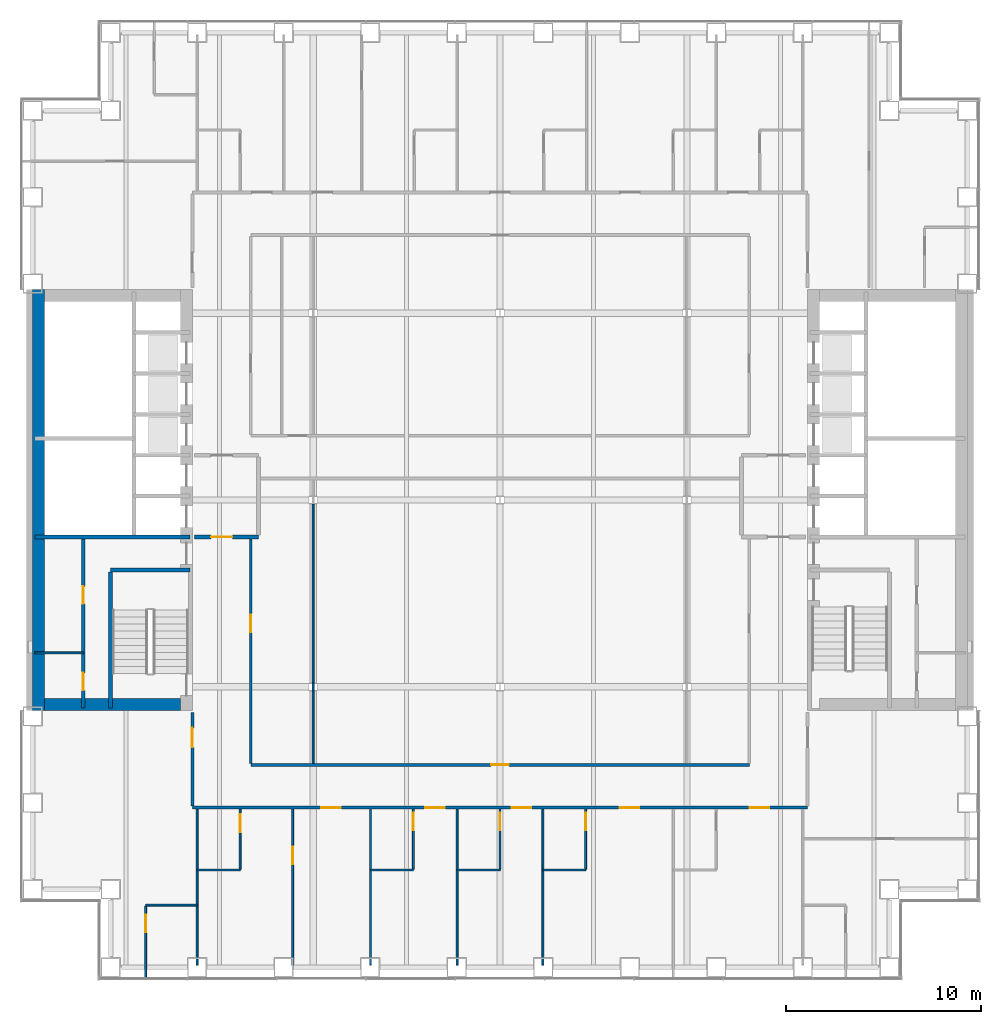
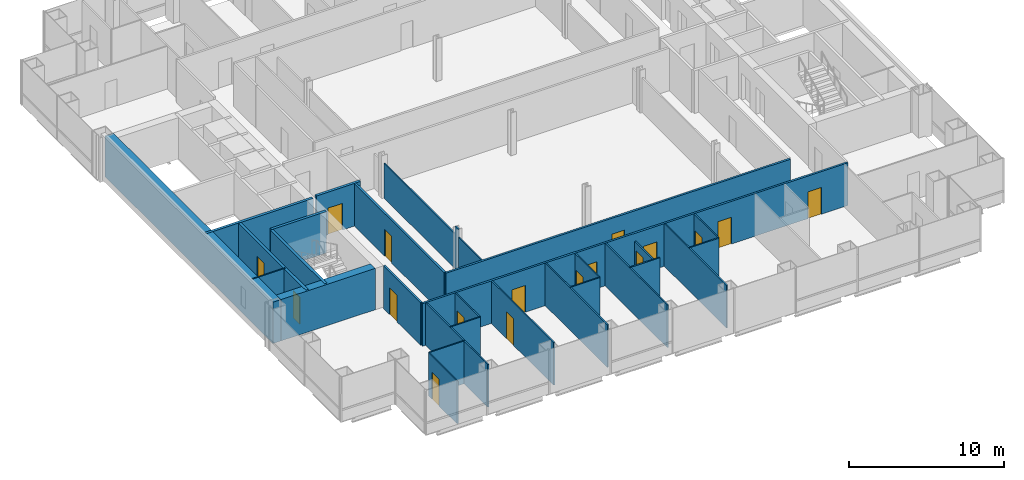
# One storey, part 16 of 21: 30 walls, 17 doors, 17 openings.
"""IFC4 building model written with IfcOpenShell, lengths in metres."""

from ifc_helpers import new_model, si_unit, direction, frame, frame_2d, origin, place, context, subcontext, project, spatial, rectangle, extrude, material, layer, layer_set, type_object, element, fill, save


model = new_model("IFC4")

# Units and contexts
model_context = context("Model", 3, precision=1e-05, world=origin(), true_north=direction((0.0, 1.0)))
body_context = subcontext(model_context, "Body", "Model", "MODEL_VIEW")
ifc_project = project(units=[si_unit("LENGTHUNIT", "METRE"), si_unit("AREAUNIT", "SQUARE_METRE"), si_unit("VOLUMEUNIT", "CUBIC_METRE"), si_unit("PLANEANGLEUNIT", "RADIAN"), si_unit("MASSUNIT", "GRAM", prefix="KILO")], contexts=[model_context])

# Site, building, storey
site_placement = place(None, origin())
site = spatial("IfcSite", under=ifc_project, at=site_placement, CompositionType="ELEMENT")
building_placement = place(site_placement, origin())
building = spatial("IfcBuilding", under=site, at=building_placement, Name="Cobrizo Arcos Hotel Tower", CompositionType="ELEMENT")
storey_placement = place(building_placement, frame((0.0, 0.0, 42.5)))
storey = spatial("IfcBuildingStorey", under=building, at=storey_placement, Name="L08", CompositionType="ELEMENT", Elevation=42.5)

# Wall, openings, doors
ifc_material_1 = material(Name="Gypsum board partition")
ifc_layer_1 = layer(ifc_material_1, 0.14990234375)
ifc_layer_set_1 = layer_set([ifc_layer_1], Name="Corridor wall EI 60 150")
wall_type_1 = type_object("IfcWallType", Name="Corridor wall EI 60 150", PredefinedType="PARTITIONING", material=ifc_layer_set_1)
wall_1_placement = place(storey_placement, frame((-15.800048828125, -15.800048828125, 0.0), z_axis=(0.0, 0.0, 1.0), x_axis=(1.0, 0.0, 0.0)))
wall_1 = element("IfcWall", 1, at=wall_1_placement, inside=storey, type_object=wall_type_1, Name="Partition 009", PredefinedType="PARTITIONING", context=body_context, shape_type="SweptSolid", body=[
    extrude(rectangle(XDim=31.60009765625, YDim=0.14990234375, at=frame_2d((15.800048828125, 0.0))), origin(), (0.0, 0.0, 1.0), 3.35009765625),
])
opening_1_placement = place(wall_1_placement, frame((6.633056640625, 0.0, 0.0)))
opening_1 = element("IfcOpeningElement", 2, at=opening_1_placement, cuts=wall_1, Name="Opening GD-06", PredefinedType="OPENING", context=body_context, shape_type="SweptSolid", body=[
    extrude(rectangle(XDim=1.0, YDim=2.10009765625, at=frame_2d((0.5, 1.050048828125))), frame((0.0, 0.0869140625, 0.0), z_axis=(0.0, -1.0, 0.0), x_axis=(1.0, 0.0, 0.0)), (0.0, 0.0, 1.0), 0.173828125),
])
opening_2_placement = place(wall_1_placement, frame((11.9560546875, 0.0, 0.0)))
opening_2 = element("IfcOpeningElement", 3, at=opening_2_placement, cuts=wall_1, Name="Opening GD-07", PredefinedType="OPENING", context=body_context, shape_type="SweptSolid", body=[
    extrude(rectangle(XDim=1.0, YDim=2.10009765625, at=frame_2d((0.5, 1.050048828125))), frame((0.0, 0.0869140625, 0.0), z_axis=(0.0, -1.0, 0.0), x_axis=(1.0, 0.0, 0.0)), (0.0, 0.0, 1.0), 0.173828125),
])
opening_3_placement = place(wall_1_placement, frame((16.39990234375, 0.0, 0.0)))
opening_3 = element("IfcOpeningElement", 4, at=opening_3_placement, cuts=wall_1, Name="Opening GD-08", PredefinedType="OPENING", context=body_context, shape_type="SweptSolid", body=[
    extrude(rectangle(XDim=1.0, YDim=2.10009765625, at=frame_2d((0.5, 1.050048828125))), frame((0.0, 0.0869140625, 0.0), z_axis=(0.0, -1.0, 0.0), x_axis=(1.0, 0.0, 0.0)), (0.0, 0.0, 1.0), 0.173828125),
])
opening_4_placement = place(wall_1_placement, frame((21.9560546875, 0.0, 0.0)))
opening_4 = element("IfcOpeningElement", 5, at=opening_4_placement, cuts=wall_1, Name="Opening GD-09", PredefinedType="OPENING", context=body_context, shape_type="SweptSolid", body=[
    extrude(rectangle(XDim=1.0, YDim=2.10009765625, at=frame_2d((0.5, 1.050048828125))), frame((0.0, 0.0869140625, 0.0), z_axis=(0.0, -1.0, 0.0), x_axis=(1.0, 0.0, 0.0)), (0.0, 0.0, 1.0), 0.173828125),
])
opening_5_placement = place(wall_1_placement, frame((28.623046875, 0.0, 0.0)))
opening_5 = element("IfcOpeningElement", 6, at=opening_5_placement, cuts=wall_1, Name="Opening GD-10", PredefinedType="OPENING", context=body_context, shape_type="SweptSolid", body=[
    extrude(rectangle(XDim=1.0, YDim=2.10009765625, at=frame_2d((0.5, 1.050048828125))), frame((0.0, 0.0869140625, 0.0), z_axis=(0.0, -1.0, 0.0), x_axis=(1.0, 0.0, 0.0)), (0.0, 0.0, 1.0), 0.173828125),
])
ifc_material_2 = material(Name="Timber door leaf", Category="wood")
door_type_1 = type_object("IfcDoorType", Name="Guest room door FD30S 1000x2100", OperationType="SINGLE_SWING_LEFT", PredefinedType="DOOR", material=ifc_material_2)
door_1_placement = place(opening_1_placement, origin())
door_1 = element("IfcDoor", 7, at=door_1_placement, inside=storey, type_object=door_type_1, Name="Door GD-06", OperationType="SINGLE_SWING_LEFT", OverallHeight=2.10009765625, OverallWidth=1.0, PredefinedType="DOOR", context=body_context, shape_type="SweptSolid", body=[
    extrude(rectangle(XDim=1.0, YDim=2.10009765625, at=frame_2d((0.5, 1.050048828125))), frame((0.0, 0.02490234375, 0.0), z_axis=(0.0, -1.0, 0.0), x_axis=(1.0, 0.0, 0.0)), (0.0, 0.0, 1.0), 0.050048828125),
])
fill(opening_1, door_1)
door_2_placement = place(opening_2_placement, origin())
door_2 = element("IfcDoor", 8, at=door_2_placement, inside=storey, type_object=door_type_1, Name="Door GD-07", OperationType="SINGLE_SWING_LEFT", OverallHeight=2.10009765625, OverallWidth=1.0, PredefinedType="DOOR", context=body_context, shape_type="SweptSolid", body=[
    extrude(rectangle(XDim=1.0, YDim=2.10009765625, at=frame_2d((0.5, 1.050048828125))), frame((0.0, 0.02490234375, 0.0), z_axis=(0.0, -1.0, 0.0), x_axis=(1.0, 0.0, 0.0)), (0.0, 0.0, 1.0), 0.050048828125),
])
fill(opening_2, door_2)
door_3_placement = place(opening_3_placement, origin())
door_3 = element("IfcDoor", 9, at=door_3_placement, inside=storey, type_object=door_type_1, Name="Door GD-08", OperationType="SINGLE_SWING_LEFT", OverallHeight=2.10009765625, OverallWidth=1.0, PredefinedType="DOOR", context=body_context, shape_type="SweptSolid", body=[
    extrude(rectangle(XDim=1.0, YDim=2.10009765625, at=frame_2d((0.5, 1.050048828125))), frame((0.0, 0.02490234375, 0.0), z_axis=(0.0, -1.0, 0.0), x_axis=(1.0, 0.0, 0.0)), (0.0, 0.0, 1.0), 0.050048828125),
])
fill(opening_3, door_3)
door_4_placement = place(opening_4_placement, origin())
door_4 = element("IfcDoor", 10, at=door_4_placement, inside=storey, type_object=door_type_1, Name="Door GD-09", OperationType="SINGLE_SWING_RIGHT", OverallHeight=2.10009765625, OverallWidth=1.0, PredefinedType="DOOR", context=body_context, shape_type="SweptSolid", body=[
    extrude(rectangle(XDim=1.0, YDim=2.10009765625, at=frame_2d((0.5, 1.050048828125))), frame((0.0, 0.02490234375, 0.0), z_axis=(0.0, -1.0, 0.0), x_axis=(1.0, 0.0, 0.0)), (0.0, 0.0, 1.0), 0.050048828125),
])
fill(opening_4, door_4)
door_5_placement = place(opening_5_placement, origin())
door_5 = element("IfcDoor", 11, at=door_5_placement, inside=storey, type_object=door_type_1, Name="Door GD-10", OperationType="SINGLE_SWING_LEFT", OverallHeight=2.10009765625, OverallWidth=1.0, PredefinedType="DOOR", context=body_context, shape_type="SweptSolid", body=[
    extrude(rectangle(XDim=1.0, YDim=2.10009765625, at=frame_2d((0.5, 1.050048828125))), frame((0.0, 0.02490234375, 0.0), z_axis=(0.0, -1.0, 0.0), x_axis=(1.0, 0.0, 0.0)), (0.0, 0.0, 1.0), 0.050048828125),
])
fill(opening_5, door_5)

# Wall, opening, door
wall_2_placement = place(storey_placement, frame((-12.800048828125, -13.60009765625, 0.0), z_axis=(0.0, 0.0, 1.0), x_axis=(1.0, 0.0, 0.0)))
wall_2 = element("IfcWall", 12, at=wall_2_placement, inside=storey, type_object=wall_type_1, Name="Partition 010", PredefinedType="PARTITIONING", context=body_context, shape_type="SweptSolid", body=[
    extrude(rectangle(XDim=25.60009765625, YDim=0.14990234375, at=frame_2d((12.800048828125, 0.0))), origin(), (0.0, 0.0, 1.0), 3.35009765625),
])
opening_6_placement = place(wall_2_placement, frame((12.35009765625, 0.0, 0.0)))
opening_6 = element("IfcOpeningElement", 13, at=opening_6_placement, cuts=wall_2, Name="Opening RD-13", PredefinedType="OPENING", context=body_context, shape_type="SweptSolid", body=[
    extrude(rectangle(XDim=0.89990234375, YDim=2.10009765625, at=frame_2d((0.449951171875, 1.050048828125))), frame((0.0, 0.0869140625, 0.0), z_axis=(0.0, -1.0, 0.0), x_axis=(1.0, 0.0, 0.0)), (0.0, 0.0, 1.0), 0.173828125),
])
door_type_2 = type_object("IfcDoorType", Name="Room door FD30 900x2100", OperationType="SINGLE_SWING_LEFT", PredefinedType="DOOR", material=ifc_material_2)
door_6_placement = place(opening_6_placement, origin())
door_6 = element("IfcDoor", 14, at=door_6_placement, inside=storey, type_object=door_type_2, Name="Door RD-13", OperationType="SINGLE_SWING_LEFT", OverallHeight=2.10009765625, OverallWidth=0.89990234375, PredefinedType="DOOR", context=body_context, shape_type="SweptSolid", body=[
    extrude(rectangle(XDim=0.89990234375, YDim=2.10009765625, at=frame_2d((0.449951171875, 1.050048828125))), frame((0.0, 0.02490234375, 0.0), z_axis=(0.0, -1.0, 0.0), x_axis=(1.0, 0.0, 0.0)), (0.0, 0.0, 1.0), 0.050048828125),
])
fill(opening_6, door_6)

wall_3_placement = place(storey_placement, frame((-15.800048828125, -15.72509765625, 0.0), z_axis=(0.0, 0.0, 1.0), x_axis=(0.0, 1.0, 0.0)))
wall_3 = element("IfcWall", 15, at=wall_3_placement, inside=storey, type_object=wall_type_1, Name="Partition 050", PredefinedType="PARTITIONING", context=body_context, shape_type="SweptSolid", body=[
    extrude(rectangle(XDim=4.80517578125, YDim=0.14990234375, at=frame_2d((2.402587890625, 0.0))), origin(), (0.0, 0.0, 1.0), 3.35009765625),
])
opening_7_placement = place(wall_3_placement, frame((3.02490234375, 0.0, 0.0)))
opening_7 = element("IfcOpeningElement", 16, at=opening_7_placement, cuts=wall_3, Name="Opening GD-11", PredefinedType="OPENING", context=body_context, shape_type="SweptSolid", body=[
    extrude(rectangle(XDim=1.0, YDim=2.10009765625, at=frame_2d((0.5, 1.050048828125))), frame((0.0, 0.0869140625, 0.0), z_axis=(0.0, -1.0, 0.0), x_axis=(1.0, 0.0, 0.0)), (0.0, 0.0, 1.0), 0.173828125),
])
door_7_placement = place(opening_7_placement, origin())
door_7 = element("IfcDoor", 17, at=door_7_placement, inside=storey, type_object=door_type_1, Name="Door GD-11", OperationType="SINGLE_SWING_RIGHT", OverallHeight=2.10009765625, OverallWidth=1.0, PredefinedType="DOOR", context=body_context, shape_type="SweptSolid", body=[
    extrude(rectangle(XDim=1.0, YDim=2.10009765625, at=frame_2d((0.5, 1.050048828125))), frame((0.0, 0.02490234375, 0.0), z_axis=(0.0, -1.0, 0.0), x_axis=(1.0, 0.0, 0.0)), (0.0, 0.0, 1.0), 0.050048828125),
])
fill(opening_7, door_7)

wall_4_placement = place(storey_placement, frame((-12.800048828125, -13.52490234375, 0.0), z_axis=(0.0, 0.0, 1.0), x_axis=(0.0, 1.0, 0.0)))
wall_4 = element("IfcWall", 18, at=wall_4_placement, inside=storey, type_object=wall_type_1, Name="Partition 056", PredefinedType="PARTITIONING", context=body_context, shape_type="SweptSolid", body=[
    extrude(rectangle(XDim=11.52490234375, YDim=0.14990234375, at=frame_2d((5.762451171875, 0.0))), origin(), (0.0, 0.0, 1.0), 3.35009765625),
])
opening_8_placement = place(wall_4_placement, frame((6.72509765625, 0.0, 0.0)))
opening_8 = element("IfcOpeningElement", 19, at=opening_8_placement, cuts=wall_4, Name="Opening RD-10", PredefinedType="OPENING", context=body_context, shape_type="SweptSolid", body=[
    extrude(rectangle(XDim=0.89990234375, YDim=2.10009765625, at=frame_2d((0.449951171875, 1.050048828125))), frame((0.0, 0.0869140625, 0.0), z_axis=(0.0, -1.0, 0.0), x_axis=(1.0, 0.0, 0.0)), (0.0, 0.0, 1.0), 0.173828125),
])
door_8_placement = place(opening_8_placement, origin())
door_8 = element("IfcDoor", 20, at=door_8_placement, inside=storey, type_object=door_type_2, Name="Door RD-10", OperationType="SINGLE_SWING_RIGHT", OverallHeight=2.10009765625, OverallWidth=0.89990234375, PredefinedType="DOOR", context=body_context, shape_type="SweptSolid", body=[
    extrude(rectangle(XDim=0.89990234375, YDim=2.10009765625, at=frame_2d((0.449951171875, 1.050048828125))), frame((0.0, 0.02490234375, 0.0), z_axis=(0.0, -1.0, 0.0), x_axis=(1.0, 0.0, 0.0)), (0.0, 0.0, 1.0), 0.050048828125),
])
fill(opening_8, door_8)

# Walls
ifc_layer_2 = layer(ifc_material_1, 0.10009765625)
ifc_layer_set_2 = layer_set([ifc_layer_2], Name="Partition EI 30 100")
wall_type_2 = type_object("IfcWallType", Name="Partition EI 30 100", PredefinedType="PARTITIONING", material=ifc_layer_set_2)
wall_5_placement = place(storey_placement, frame((-18.199951171875, -20.800048828125, 0.0), z_axis=(0.0, 0.0, 1.0), x_axis=(1.0, 0.0, 0.0)))
element("IfcWall", 21, at=wall_5_placement, inside=storey, type_object=wall_type_2, Name="Partition 001", PredefinedType="PARTITIONING", context=body_context, shape_type="SweptSolid", body=[
    extrude(rectangle(XDim=2.64990234375, YDim=0.10009765625, at=frame_2d((1.324951171875, 0.0))), origin(), (0.0, 0.0, 1.0), 3.35009765625),
])
for number, where, z_axis, x_axis, name in (
    (22, (-15.550048828125, -19.0, 0.0), (0.0, 0.0, 1.0), (1.0, 0.0, 0.0), "Partition 003"),
    (23, (-6.64990234375, -19.0, 0.0), (0.0, 0.0, 1.0), (1.0, 0.0, 0.0), "Partition 004"),
    (24, (-2.199951171875, -19.0, 0.0), (0.0, 0.0, 1.0), (1.0, 0.0, 0.0), "Partition 005"),
    (25, (2.199951171875, -19.0, 0.0), (0.0, 0.0, 1.0), (1.0, 0.0, 0.0), "Partition 006"),
):
    element("IfcWall", number, at=place(storey_placement, frame(where, z_axis=z_axis, x_axis=x_axis)), inside=storey, type_object=wall_type_2, Name=name, PredefinedType="PARTITIONING", context=body_context, shape_type="SweptSolid", body=[
        extrude(rectangle(XDim=2.199951171875, YDim=0.10009765625, at=frame_2d((1.10009765625, 0.0))), origin(), (0.0, 0.0, 1.0), 3.35009765625),
    ])
wall_6_placement = place(storey_placement, frame((-23.8798828125, -7.85009765625, 0.0), z_axis=(0.0, 0.0, 1.0), x_axis=(1.0, 0.0, 0.0)))
element("IfcWall", 26, at=wall_6_placement, inside=storey, type_object=wall_type_2, Name="Partition 011", PredefinedType="PARTITIONING", context=body_context, shape_type="SweptSolid", body=[
    extrude(rectangle(XDim=2.47998046875, YDim=0.10009765625, at=frame_2d((1.239990234375, 0.0))), origin(), (0.0, 0.0, 1.0), 3.25),
])

# Wall, opening, door
wall_7_placement = place(storey_placement, frame((-18.199951171875, -24.530029296875, 0.0), z_axis=(0.0, 0.0, 1.0), x_axis=(0.0, 1.0, 0.0)))
wall_7 = element("IfcWall", 27, at=wall_7_placement, inside=storey, type_object=wall_type_2, Name="Partition 048", PredefinedType="PARTITIONING", context=body_context, shape_type="SweptSolid", body=[
    extrude(rectangle(XDim=3.679931640625, YDim=0.10009765625, at=frame_2d((1.83984375, 0.0))), origin(), (0.0, 0.0, 1.0), 3.35009765625),
])
opening_9_placement = place(wall_7_placement, frame((2.320068359375, 0.0, 0.0)))
opening_9 = element("IfcOpeningElement", 28, at=opening_9_placement, cuts=wall_7, Name="Opening ED-12", PredefinedType="OPENING", context=body_context, shape_type="SweptSolid", body=[
    extrude(rectangle(XDim=0.89990234375, YDim=2.10009765625, at=frame_2d((0.449951171875, 1.050048828125))), frame((0.0, 0.06201171875, 0.0), z_axis=(0.0, -1.0, 0.0), x_axis=(1.0, 0.0, 0.0)), (0.0, 0.0, 1.0), 0.1240234375),
])
door_type_3 = type_object("IfcDoorType", Name="En-suite door 900x2100", OperationType="SINGLE_SWING_LEFT", PredefinedType="DOOR", material=ifc_material_2)
door_9_placement = place(opening_9_placement, origin())
door_9 = element("IfcDoor", 29, at=door_9_placement, inside=storey, type_object=door_type_3, Name="Door ED-12", OperationType="SINGLE_SWING_LEFT", OverallHeight=2.10009765625, OverallWidth=0.89990234375, PredefinedType="DOOR", context=body_context, shape_type="SweptSolid", body=[
    extrude(rectangle(XDim=0.89990234375, YDim=2.10009765625, at=frame_2d((0.449951171875, 1.050048828125))), frame((0.0, 0.02490234375, 0.0), z_axis=(0.0, -1.0, 0.0), x_axis=(1.0, 0.0, 0.0)), (0.0, 0.0, 1.0), 0.050048828125),
])
fill(opening_9, door_9)

# Wall
wall_8_placement = place(storey_placement, frame((-15.550048828125, -23.8798828125, 0.0), z_axis=(0.0, 0.0, 1.0), x_axis=(0.0, 1.0, 0.0)))
element("IfcWall", 30, at=wall_8_placement, inside=storey, type_object=wall_type_2, Name="Partition 052", PredefinedType="PARTITIONING", context=body_context, shape_type="SweptSolid", body=[
    extrude(rectangle(XDim=8.0048828125, YDim=0.10009765625, at=frame_2d((4.00244140625, 0.0))), origin(), (0.0, 0.0, 1.0), 3.35009765625),
])

# Wall, opening, door
wall_9_placement = place(storey_placement, frame((-13.35009765625, -18.949951171875, 0.0), z_axis=(0.0, 0.0, 1.0), x_axis=(0.0, 1.0, 0.0)))
wall_9 = element("IfcWall", 31, at=wall_9_placement, inside=storey, type_object=wall_type_2, Name="Partition 054", PredefinedType="PARTITIONING", context=body_context, shape_type="SweptSolid", body=[
    extrude(rectangle(XDim=3.074951171875, YDim=0.10009765625, at=frame_2d((1.53759765625, 0.0))), origin(), (0.0, 0.0, 1.0), 3.35009765625),
])
opening_10_placement = place(wall_9_placement, frame((1.89990234375, 0.0, 0.0)))
opening_10 = element("IfcOpeningElement", 32, at=opening_10_placement, cuts=wall_9, Name="Opening ED-07", PredefinedType="OPENING", context=body_context, shape_type="SweptSolid", body=[
    extrude(rectangle(XDim=0.89990234375, YDim=2.10009765625, at=frame_2d((0.449951171875, 1.050048828125))), frame((0.0, 0.06201171875, 0.0), z_axis=(0.0, -1.0, 0.0), x_axis=(1.0, 0.0, 0.0)), (0.0, 0.0, 1.0), 0.1240234375),
])
door_10_placement = place(opening_10_placement, origin())
door_10 = element("IfcDoor", 33, at=door_10_placement, inside=storey, type_object=door_type_3, Name="Door ED-07", OperationType="SINGLE_SWING_RIGHT", OverallHeight=2.10009765625, OverallWidth=0.89990234375, PredefinedType="DOOR", context=body_context, shape_type="SweptSolid", body=[
    extrude(rectangle(XDim=0.89990234375, YDim=2.10009765625, at=frame_2d((0.449951171875, 1.050048828125))), frame((0.0, 0.02490234375, 0.0), z_axis=(0.0, -1.0, 0.0), x_axis=(1.0, 0.0, 0.0)), (0.0, 0.0, 1.0), 0.050048828125),
])
fill(opening_10, door_10)

wall_10_placement = place(storey_placement, frame((-10.64990234375, -23.8798828125, 0.0), z_axis=(0.0, 0.0, 1.0), x_axis=(0.0, 1.0, 0.0)))
wall_10 = element("IfcWall", 34, at=wall_10_placement, inside=storey, type_object=wall_type_2, Name="Partition 062", PredefinedType="PARTITIONING", context=body_context, shape_type="SweptSolid", body=[
    extrude(rectangle(XDim=8.0048828125, YDim=0.10009765625, at=frame_2d((4.00244140625, 0.0))), origin(), (0.0, 0.0, 1.0), 3.35009765625),
])
opening_11_placement = place(wall_10_placement, frame((5.169921875, 0.0, 0.0)))
opening_11 = element("IfcOpeningElement", 35, at=opening_11_placement, cuts=wall_10, Name="Opening RD-05", PredefinedType="OPENING", context=body_context, shape_type="SweptSolid", body=[
    extrude(rectangle(XDim=0.89990234375, YDim=2.10009765625, at=frame_2d((0.449951171875, 1.050048828125))), frame((0.0, 0.06201171875, 0.0), z_axis=(0.0, -1.0, 0.0), x_axis=(1.0, 0.0, 0.0)), (0.0, 0.0, 1.0), 0.1240234375),
])
door_11_placement = place(opening_11_placement, origin())
door_11 = element("IfcDoor", 36, at=door_11_placement, inside=storey, type_object=door_type_2, Name="Door RD-05", OperationType="SINGLE_SWING_LEFT", OverallHeight=2.10009765625, OverallWidth=0.89990234375, PredefinedType="DOOR", context=body_context, shape_type="SweptSolid", body=[
    extrude(rectangle(XDim=0.89990234375, YDim=2.10009765625, at=frame_2d((0.449951171875, 1.050048828125))), frame((0.0, 0.02490234375, 0.0), z_axis=(0.0, -1.0, 0.0), x_axis=(1.0, 0.0, 0.0)), (0.0, 0.0, 1.0), 0.050048828125),
])
fill(opening_11, door_11)

# Walls
wall_11_placement = place(storey_placement, frame((-9.60009765625, -13.52490234375, 0.0), z_axis=(0.0, 0.0, 1.0), x_axis=(0.0, 1.0, 0.0)))
element("IfcWall", 37, at=wall_11_placement, inside=storey, type_object=wall_type_2, Name="Partition 063", PredefinedType="PARTITIONING", context=body_context, shape_type="SweptSolid", body=[
    extrude(rectangle(XDim=3.720947265625, YDim=0.10009765625, at=frame_2d((1.8603515625, 0.0))), origin(), (0.0, 0.0, 1.0), 2.72802734375),
])
wall_12_placement = place(storey_placement, frame((-9.60009765625, -9.803955078125, 0.0), z_axis=(0.0, 0.0, 1.0), x_axis=(0.0, 1.0, 0.0)))
element("IfcWall", 38, at=wall_12_placement, inside=storey, type_object=wall_type_2, Name="Partition 064", PredefinedType="PARTITIONING", context=body_context, shape_type="SweptSolid", body=[
    extrude(rectangle(XDim=0.407958984375, YDim=0.10009765625, at=frame_2d((0.2041015625, 0.0))), origin(), (0.0, 0.0, 1.0), 3.35009765625),
])
wall_13_placement = place(storey_placement, frame((-9.60009765625, -9.39599609375, 0.0), z_axis=(0.0, 0.0, 1.0), x_axis=(0.0, 1.0, 0.0)))
element("IfcWall", 39, at=wall_13_placement, inside=storey, type_object=wall_type_2, Name="Partition 065", PredefinedType="PARTITIONING", context=body_context, shape_type="SweptSolid", body=[
    extrude(rectangle(XDim=9.19189453125, YDim=0.10009765625, at=frame_2d((4.595947265625, 0.0))), origin(), (0.0, 0.0, 1.0), 2.72802734375),
])
wall_14_placement = place(storey_placement, frame((-6.64990234375, -23.8798828125, 0.0), z_axis=(0.0, 0.0, 1.0), x_axis=(0.0, 1.0, 0.0)))
element("IfcWall", 40, at=wall_14_placement, inside=storey, type_object=wall_type_2, Name="Partition 072", PredefinedType="PARTITIONING", context=body_context, shape_type="SweptSolid", body=[
    extrude(rectangle(XDim=8.0048828125, YDim=0.10009765625, at=frame_2d((4.00244140625, 0.0))), origin(), (0.0, 0.0, 1.0), 3.35009765625),
])

# Wall, opening, door
wall_15_placement = place(storey_placement, frame((-4.449951171875, -18.949951171875, 0.0), z_axis=(0.0, 0.0, 1.0), x_axis=(0.0, 1.0, 0.0)))
wall_15 = element("IfcWall", 41, at=wall_15_placement, inside=storey, type_object=wall_type_2, Name="Partition 073", PredefinedType="PARTITIONING", context=body_context, shape_type="SweptSolid", body=[
    extrude(rectangle(XDim=3.074951171875, YDim=0.10009765625, at=frame_2d((1.53759765625, 0.0))), origin(), (0.0, 0.0, 1.0), 3.35009765625),
])
opening_12_placement = place(wall_15_placement, frame((1.99609375, 0.0, 0.0)))
opening_12 = element("IfcOpeningElement", 42, at=opening_12_placement, cuts=wall_15, Name="Opening ED-08", PredefinedType="OPENING", context=body_context, shape_type="SweptSolid", body=[
    extrude(rectangle(XDim=0.89990234375, YDim=2.10009765625, at=frame_2d((0.449951171875, 1.050048828125))), frame((0.0, 0.06201171875, 0.0), z_axis=(0.0, -1.0, 0.0), x_axis=(1.0, 0.0, 0.0)), (0.0, 0.0, 1.0), 0.1240234375),
])
door_12_placement = place(opening_12_placement, origin())
door_12 = element("IfcDoor", 43, at=door_12_placement, inside=storey, type_object=door_type_3, Name="Door ED-08", OperationType="SINGLE_SWING_LEFT", OverallHeight=2.10009765625, OverallWidth=0.89990234375, PredefinedType="DOOR", context=body_context, shape_type="SweptSolid", body=[
    extrude(rectangle(XDim=0.89990234375, YDim=2.10009765625, at=frame_2d((0.449951171875, 1.050048828125))), frame((0.0, 0.02490234375, 0.0), z_axis=(0.0, -1.0, 0.0), x_axis=(1.0, 0.0, 0.0)), (0.0, 0.0, 1.0), 0.050048828125),
])
fill(opening_12, door_12)

# Wall
wall_16_placement = place(storey_placement, frame((-2.199951171875, -23.8798828125, 0.0), z_axis=(0.0, 0.0, 1.0), x_axis=(0.0, 1.0, 0.0)))
element("IfcWall", 44, at=wall_16_placement, inside=storey, type_object=wall_type_2, Name="Partition 075", PredefinedType="PARTITIONING", context=body_context, shape_type="SweptSolid", body=[
    extrude(rectangle(XDim=8.0048828125, YDim=0.10009765625, at=frame_2d((4.00244140625, 0.0))), origin(), (0.0, 0.0, 1.0), 3.35009765625),
])

# Wall, opening, door
wall_17_placement = place(storey_placement, frame((0.0, -18.949951171875, 0.0), z_axis=(0.0, 0.0, 1.0), x_axis=(0.0, 1.0, 0.0)))
wall_17 = element("IfcWall", 45, at=wall_17_placement, inside=storey, type_object=wall_type_2, Name="Partition 077", PredefinedType="PARTITIONING", context=body_context, shape_type="SweptSolid", body=[
    extrude(rectangle(XDim=3.074951171875, YDim=0.10009765625, at=frame_2d((1.53759765625, 0.0))), origin(), (0.0, 0.0, 1.0), 2.72802734375),
])
opening_13_placement = place(wall_17_placement, frame((1.99609375, 0.0, 0.0)))
opening_13 = element("IfcOpeningElement", 46, at=opening_13_placement, cuts=wall_17, Name="Opening ED-09", PredefinedType="OPENING", context=body_context, shape_type="SweptSolid", body=[
    extrude(rectangle(XDim=0.89990234375, YDim=2.10009765625, at=frame_2d((0.449951171875, 1.050048828125))), frame((0.0, 0.06201171875, 0.0), z_axis=(0.0, -1.0, 0.0), x_axis=(1.0, 0.0, 0.0)), (0.0, 0.0, 1.0), 0.1240234375),
])
door_13_placement = place(opening_13_placement, origin())
door_13 = element("IfcDoor", 47, at=door_13_placement, inside=storey, type_object=door_type_3, Name="Door ED-09", OperationType="SINGLE_SWING_LEFT", OverallHeight=2.10009765625, OverallWidth=0.89990234375, PredefinedType="DOOR", context=body_context, shape_type="SweptSolid", body=[
    extrude(rectangle(XDim=0.89990234375, YDim=2.10009765625, at=frame_2d((0.449951171875, 1.050048828125))), frame((0.0, 0.02490234375, 0.0), z_axis=(0.0, -1.0, 0.0), x_axis=(1.0, 0.0, 0.0)), (0.0, 0.0, 1.0), 0.050048828125),
])
fill(opening_13, door_13)

# Wall
wall_18_placement = place(storey_placement, frame((2.199951171875, -23.8798828125, 0.0), z_axis=(0.0, 0.0, 1.0), x_axis=(0.0, 1.0, 0.0)))
element("IfcWall", 48, at=wall_18_placement, inside=storey, type_object=wall_type_2, Name="Partition 078", PredefinedType="PARTITIONING", context=body_context, shape_type="SweptSolid", body=[
    extrude(rectangle(XDim=8.0048828125, YDim=0.10009765625, at=frame_2d((4.00244140625, 0.0))), origin(), (0.0, 0.0, 1.0), 3.35009765625),
])

# Wall, opening, door
wall_19_placement = place(storey_placement, frame((4.39990234375, -18.949951171875, 0.0), z_axis=(0.0, 0.0, 1.0), x_axis=(0.0, 1.0, 0.0)))
wall_19 = element("IfcWall", 49, at=wall_19_placement, inside=storey, type_object=wall_type_2, Name="Partition 080", PredefinedType="PARTITIONING", context=body_context, shape_type="SweptSolid", body=[
    extrude(rectangle(XDim=3.074951171875, YDim=0.10009765625, at=frame_2d((1.53759765625, 0.0))), origin(), (0.0, 0.0, 1.0), 3.35009765625),
])
opening_14_placement = place(wall_19_placement, frame((1.99609375, 0.0, 0.0)))
opening_14 = element("IfcOpeningElement", 50, at=opening_14_placement, cuts=wall_19, Name="Opening ED-10", PredefinedType="OPENING", context=body_context, shape_type="SweptSolid", body=[
    extrude(rectangle(XDim=0.89990234375, YDim=2.10009765625, at=frame_2d((0.449951171875, 1.050048828125))), frame((0.0, 0.06201171875, 0.0), z_axis=(0.0, -1.0, 0.0), x_axis=(1.0, 0.0, 0.0)), (0.0, 0.0, 1.0), 0.1240234375),
])
door_14_placement = place(opening_14_placement, origin())
door_14 = element("IfcDoor", 51, at=door_14_placement, inside=storey, type_object=door_type_3, Name="Door ED-10", OperationType="SINGLE_SWING_LEFT", OverallHeight=2.10009765625, OverallWidth=0.89990234375, PredefinedType="DOOR", context=body_context, shape_type="SweptSolid", body=[
    extrude(rectangle(XDim=0.89990234375, YDim=2.10009765625, at=frame_2d((0.449951171875, 1.050048828125))), frame((0.0, 0.02490234375, 0.0), z_axis=(0.0, -1.0, 0.0), x_axis=(1.0, 0.0, 0.0)), (0.0, 0.0, 1.0), 0.050048828125),
])
fill(opening_14, door_14)

# Walls
ifc_material_3 = material(Name="Concrete f'c 60 MPa", Category="concrete")
ifc_layer_3 = layer(ifc_material_3, 0.60009765625)
ifc_layer_set_3 = layer_set([ifc_layer_3], Name="RC core wall 600 f'c 60")
wall_type_3 = type_object("IfcWallType", Name="RC core wall 600 f'c 60", PredefinedType="SHEAR", material=ifc_layer_set_3)
wall_20_placement = place(storey_placement, frame((-23.699951171875, -10.800048828125, 0.0), z_axis=(0.0, 0.0, 1.0), x_axis=(0.0, 1.0, 0.0)))
element("IfcWall", 52, at=wall_20_placement, inside=storey, type_object=wall_type_3, Name="Core wall CW1, west core, outer face, L08", PredefinedType="SHEAR", context=body_context, shape_type="SweptSolid", body=[
    extrude(rectangle(XDim=21.60009765625, YDim=0.60009765625, at=frame_2d((10.800048828125, 0.0))), origin(), (0.0, 0.0, 1.0), 3.25),
])
wall_21_placement = place(storey_placement, frame((-23.39990234375, -10.5, 0.0), z_axis=(0.0, 0.0, 1.0), x_axis=(1.0, 0.0, 0.0)))
element("IfcWall", 53, at=wall_21_placement, inside=storey, type_object=wall_type_3, Name="Core wall CW1, west core, south end, L08", PredefinedType="SHEAR", context=body_context, shape_type="SweptSolid", body=[
    extrude(rectangle(XDim=7.0, YDim=0.60009765625, at=frame_2d((3.5, 0.0))), origin(), (0.0, 0.0, 1.0), 3.25),
])
ifc_layer_4 = layer(ifc_material_1, 0.199951171875)
ifc_layer_set_4 = layer_set([ifc_layer_4], Name="Shaft wall EI 120 200")
wall_type_4 = type_object("IfcWallType", Name="Shaft wall EI 120 200", PredefinedType="PARTITIONING", material=ifc_layer_set_4)
wall_22_placement = place(storey_placement, frame((-23.8798828125, -1.89990234375, 0.0), z_axis=(0.0, 0.0, 1.0), x_axis=(1.0, 0.0, 0.0)))
element("IfcWall", 54, at=wall_22_placement, inside=storey, type_object=wall_type_4, Name="Partition 015", PredefinedType="PARTITIONING", context=body_context, shape_type="SweptSolid", body=[
    extrude(rectangle(XDim=7.9599609375, YDim=0.199951171875, at=frame_2d((3.97998046875, 0.0))), origin(), (0.0, 0.0, 1.0), 3.25),
])

# Wall, opening, door
wall_23_placement = place(storey_placement, frame((-15.679931640625, -1.89990234375, 0.0), z_axis=(0.0, 0.0, 1.0), x_axis=(1.0, 0.0, 0.0)))
wall_23 = element("IfcWall", 55, at=wall_23_placement, inside=storey, type_object=wall_type_4, Name="Partition 016", PredefinedType="PARTITIONING", context=body_context, shape_type="SweptSolid", body=[
    extrude(rectangle(XDim=3.280029296875, YDim=0.199951171875, at=frame_2d((1.64013671875, 0.0))), origin(), (0.0, 0.0, 1.0), 3.35009765625),
])
opening_15_placement = place(wall_23_placement, frame((0.840087890625, 0.0, 0.0)))
opening_15 = element("IfcOpeningElement", 56, at=opening_15_placement, cuts=wall_23, Name="Opening FD-03", PredefinedType="OPENING", context=body_context, shape_type="SweptSolid", body=[
    extrude(rectangle(XDim=1.10009765625, YDim=2.10009765625, at=frame_2d((0.550048828125, 1.050048828125))), frame((0.0, 0.112060546875, 0.0), z_axis=(0.0, -1.0, 0.0), x_axis=(1.0, 0.0, 0.0)), (0.0, 0.0, 1.0), 0.223876953125),
])
ifc_material_4 = material(Name="Steel door leaf", Category="steel")
door_type_4 = type_object("IfcDoorType", Name="Fire door FD60 1100x2100", OperationType="SINGLE_SWING_LEFT", PredefinedType="DOOR", material=ifc_material_4)
door_15_placement = place(opening_15_placement, origin())
door_15 = element("IfcDoor", 57, at=door_15_placement, inside=storey, type_object=door_type_4, Name="Door FD-03", OperationType="SINGLE_SWING_LEFT", OverallHeight=2.10009765625, OverallWidth=1.10009765625, PredefinedType="DOOR", context=body_context, shape_type="SweptSolid", body=[
    extrude(rectangle(XDim=1.10009765625, YDim=2.10009765625, at=frame_2d((0.550048828125, 1.050048828125))), frame((0.0, 0.02490234375, 0.0), z_axis=(0.0, -1.0, 0.0), x_axis=(1.0, 0.0, 0.0)), (0.0, 0.0, 1.0), 0.050048828125),
])
fill(opening_15, door_15)

# Wall, openings, doors
wall_24_placement = place(storey_placement, frame((-21.39990234375, -10.679931640625, 0.0), z_axis=(0.0, 0.0, 1.0), x_axis=(0.0, 1.0, 0.0)))
wall_24 = element("IfcWall", 58, at=wall_24_placement, inside=storey, type_object=wall_type_4, Name="Partition 045", PredefinedType="PARTITIONING", context=body_context, shape_type="SweptSolid", body=[
    extrude(rectangle(XDim=8.679931640625, YDim=0.199951171875, at=frame_2d((4.33984375, 0.0))), origin(), (0.0, 0.0, 1.0), 3.25),
])
opening_16_placement = place(wall_24_placement, frame((0.89892578125, 0.0, 0.0)))
opening_16 = element("IfcOpeningElement", 59, at=opening_16_placement, cuts=wall_24, Name="Opening ED-01", PredefinedType="OPENING", context=body_context, shape_type="SweptSolid", body=[
    extrude(rectangle(XDim=0.89990234375, YDim=2.10009765625, at=frame_2d((0.449951171875, 1.050048828125))), frame((0.0, 0.112060546875, 0.0), z_axis=(0.0, -1.0, 0.0), x_axis=(1.0, 0.0, 0.0)), (0.0, 0.0, 1.0), 0.223876953125),
])
opening_17_placement = place(wall_24_placement, frame((5.34912109375, 0.0, 0.0)))
opening_17 = element("IfcOpeningElement", 60, at=opening_17_placement, cuts=wall_24, Name="Opening RD-01", PredefinedType="OPENING", context=body_context, shape_type="SweptSolid", body=[
    extrude(rectangle(XDim=0.89990234375, YDim=2.10009765625, at=frame_2d((0.449951171875, 1.050048828125))), frame((0.0, 0.112060546875, 0.0), z_axis=(0.0, -1.0, 0.0), x_axis=(1.0, 0.0, 0.0)), (0.0, 0.0, 1.0), 0.223876953125),
])
door_16_placement = place(opening_16_placement, origin())
door_16 = element("IfcDoor", 61, at=door_16_placement, inside=storey, type_object=door_type_3, Name="Door ED-01", OperationType="SINGLE_SWING_RIGHT", OverallHeight=2.10009765625, OverallWidth=0.89990234375, PredefinedType="DOOR", context=body_context, shape_type="SweptSolid", body=[
    extrude(rectangle(XDim=0.89990234375, YDim=2.10009765625, at=frame_2d((0.449951171875, 1.050048828125))), frame((0.0, 0.02490234375, 0.0), z_axis=(0.0, -1.0, 0.0), x_axis=(1.0, 0.0, 0.0)), (0.0, 0.0, 1.0), 0.050048828125),
])
fill(opening_16, door_16)
door_17_placement = place(opening_17_placement, origin())
door_17 = element("IfcDoor", 62, at=door_17_placement, inside=storey, type_object=door_type_2, Name="Door RD-01", OperationType="SINGLE_SWING_LEFT", OverallHeight=2.10009765625, OverallWidth=0.89990234375, PredefinedType="DOOR", context=body_context, shape_type="SweptSolid", body=[
    extrude(rectangle(XDim=0.89990234375, YDim=2.10009765625, at=frame_2d((0.449951171875, 1.050048828125))), frame((0.0, 0.02490234375, 0.0), z_axis=(0.0, -1.0, 0.0), x_axis=(1.0, 0.0, 0.0)), (0.0, 0.0, 1.0), 0.050048828125),
])
fill(opening_17, door_17)

# Walls
ifc_material_5 = material(Name="Concrete f'c 40 MPa", Category="concrete")
ifc_layer_5 = layer(ifc_material_5, 0.199951171875)
ifc_layer_set_5 = layer_set([ifc_layer_5], Name="Stair shaft wall 200")
wall_type_5 = type_object("IfcWallType", Name="Stair shaft wall 200", PredefinedType="SHEAR", material=ifc_layer_set_5)
wall_25_placement = place(storey_placement, frame((-20.0, -3.60009765625, 0.0), z_axis=(0.0, 0.0, 1.0), x_axis=(1.0, 0.0, 0.0)))
element("IfcWall", 63, at=wall_25_placement, inside=storey, type_object=wall_type_5, Name="Stair shaft wall W", PredefinedType="SHEAR", context=body_context, shape_type="SweptSolid", body=[
    extrude(rectangle(XDim=4.080078125, YDim=0.199951171875, at=frame_2d((2.0400390625, 0.0))), origin(), (0.0, 0.0, 1.0), 3.25),
])
wall_26_placement = place(storey_placement, frame((-20.0, -10.679931640625, 0.0), z_axis=(0.0, 0.0, 1.0), x_axis=(0.0, 1.0, 0.0)))
element("IfcWall", 64, at=wall_26_placement, inside=storey, type_object=wall_type_5, Name="Stair shaft wall W", PredefinedType="SHEAR", context=body_context, shape_type="SweptSolid", body=[
    extrude(rectangle(XDim=6.97998046875, YDim=0.199951171875, at=frame_2d((3.489990234375, 0.0))), origin(), (0.0, 0.0, 1.0), 3.25),
])

save(model, "model.ifc")
